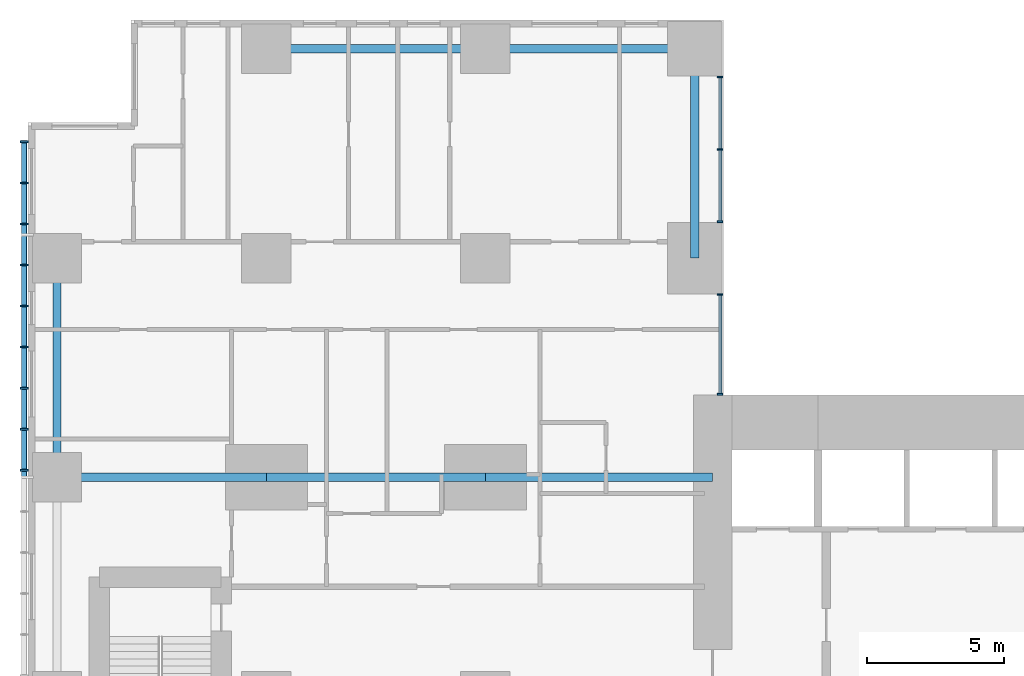
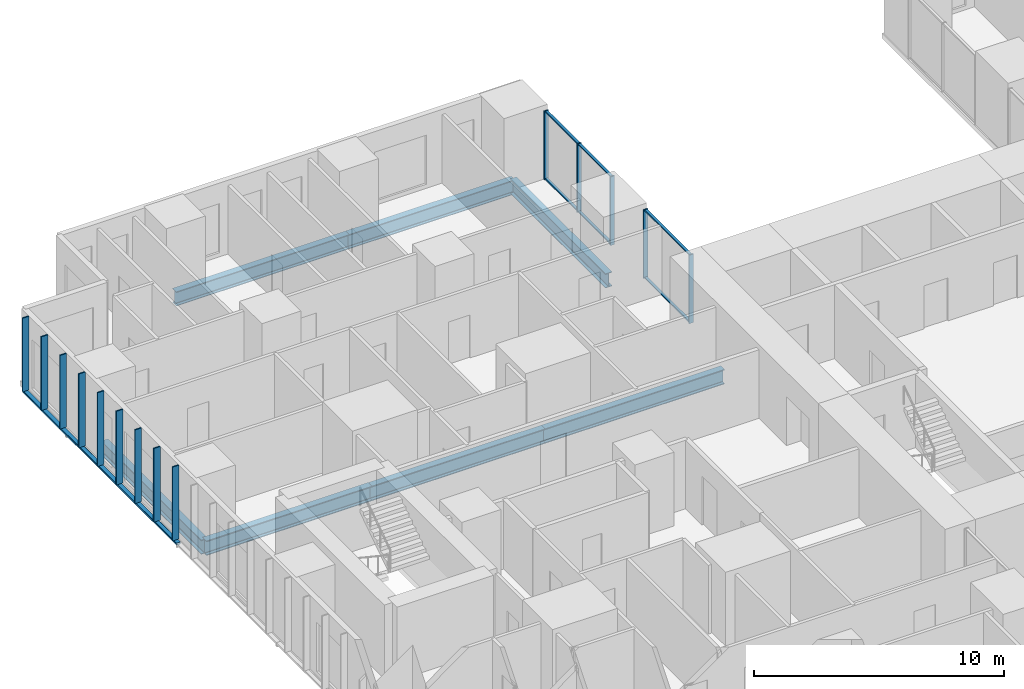
# One storey, part 4 of 20: 21 members, 7 beams, 2 elements without a shape of their own.
"""IFC4 building model written with IfcOpenShell, lengths in metres."""

from ifc_helpers import new_model, si_unit, direction, frame, origin, origin_2d, place, context, subcontext, project, spatial, rectangle, hollow_rectangle, i_section, extrude, material, layer, layer_set, material_profile, profile_set, type_object, element, aggregate, save


model = new_model("IFC4")

# Units and contexts
model_context = context("Model", 3, precision=1e-05, world=origin(), true_north=direction((0.0, 1.0)))
body_context = subcontext(model_context, "Body", "Model", "MODEL_VIEW")
ifc_project = project(units=[si_unit("LENGTHUNIT", "METRE"), si_unit("AREAUNIT", "SQUARE_METRE"), si_unit("VOLUMEUNIT", "CUBIC_METRE"), si_unit("PLANEANGLEUNIT", "RADIAN"), si_unit("MASSUNIT", "GRAM", prefix="KILO")], contexts=[model_context])

# Site, building, storey
site_placement = place(None, origin())
site = spatial("IfcSite", under=ifc_project, at=site_placement, CompositionType="ELEMENT")
building_placement = place(site_placement, origin())
building = spatial("IfcBuilding", under=site, at=building_placement, Name="Cleftline Residences", CompositionType="ELEMENT")
storey_placement = place(building_placement, frame((0.0, 0.0, 211.0)))
storey = spatial("IfcBuildingStorey", under=building, at=storey_placement, Name="L55", CompositionType="ELEMENT", Elevation=211.0)

# Member
ifc_material_1 = material(Name="Steel S355, hot-dip galvanised", Category="steel")
ifc_material_profile_1 = material_profile(ifc_material_1, hollow_rectangle(XDim=0.10009765625, YDim=0.199951171875, WallThickness=0.008056640625, InnerFilletRadius=0.008056640625, OuterFilletRadius=0.011962890625, at=origin_2d()))
ifc_profile_set_1 = profile_set([ifc_material_profile_1], Name="Steel S355, hot-dip galvanised")
member_type_1 = type_object("IfcMemberType", Name="BAGUETTE CARRIER RHS 200X100X8", PredefinedType="USERDEFINED", material=ifc_profile_set_1)
member_1_placement = place(storey_placement, frame((-0.85009765625, 44.300048828125, -0.050048828125), z_axis=(0.0, -1.0, 0.0), x_axis=(0.0, 0.0, 1.0)))
element("IfcMember", 1, at=member_1_placement, inside=storey, type_object=member_type_1, Name="Baguette carrier", ObjectType="BAGUETTE CARRIER", PredefinedType="USERDEFINED", context=body_context, shape_type="SweptSolid", body=[
    extrude(hollow_rectangle(XDim=0.10009765625, YDim=0.199951171875, WallThickness=0.008056640625, InnerFilletRadius=0.008056640625, OuterFilletRadius=0.011962890625, at=origin_2d()), origin(), (0.0, 0.0, 1.0), 12.300048828125),
])

# Beams
ifc_material_2 = material(Name="Steel S355", Category="steel")
ifc_material_profile_2 = material_profile(ifc_material_2, i_section(OverallWidth=0.300048828125, OverallDepth=0.699951171875, WebThickness=0.01708984375, FlangeThickness=0.031982421875, FilletRadius=0.027099609375, at=origin_2d()))
ifc_profile_set_2 = profile_set([ifc_material_profile_2], Name="Steel S355")
beam_type_1 = type_object("IfcBeamType", Name="BEAM HEB 700", PredefinedType="BEAM", material=ifc_profile_set_2)
for number, where, z_axis, x_axis, name in (
    (2, (0.35009765625, 32.0, -0.60009765625), (0.0, 1.0, 0.0), (-1.0, 0.0, 0.0), "Edge beam"),
    (3, (8.0, 47.64990234375, -0.60009765625), (1.0, 0.0, 0.0), (0.0, 1.0, 0.0), "Edge beam"),
):
    element("IfcBeam", number, at=place(storey_placement, frame(where, z_axis=z_axis, x_axis=x_axis)), inside=storey, type_object=beam_type_1, Name=name, PredefinedType="BEAM", context=body_context, shape_type="SweptSolid", body=[
        extrude(i_section(OverallWidth=0.300048828125, OverallDepth=0.699951171875, WebThickness=0.01708984375, FlangeThickness=0.031982421875, FilletRadius=0.027099609375, at=origin_2d()), origin(), (0.0, 0.0, 1.0), 8.0),
    ])
for number, where, z_axis, x_axis, name in (
    (4, (16.0, 47.64990234375, -0.60009765625), (1.0, 0.0, 0.0), (0.0, 1.0, 0.0), "Edge beam"),
    (5, (23.64990234375, 47.64990234375, -0.60009765625), (0.0, -1.0, 0.0), (1.0, 0.0, 0.0), "Edge beam"),
):
    element("IfcBeam", number, at=place(storey_placement, frame(where, z_axis=z_axis, x_axis=x_axis)), inside=storey, type_object=beam_type_1, Name=name, PredefinedType="BEAM", context=body_context, shape_type="SweptSolid", body=[
        extrude(i_section(OverallWidth=0.300048828125, OverallDepth=0.699951171875, WebThickness=0.01708984375, FlangeThickness=0.031982421875, FilletRadius=0.027099609375, at=origin_2d()), origin(), (0.0, 0.0, 1.0), 7.64990234375),
    ])
ifc_material_3 = material(Name="Steel S355", Category="steel")
ifc_material_profile_3 = material_profile(ifc_material_3, i_section(OverallWidth=0.303955078125, OverallDepth=0.716064453125, WebThickness=0.02099609375, FlangeThickness=0.0400390625, FilletRadius=0.027099609375, at=origin_2d()))
ifc_profile_set_3 = profile_set([ifc_material_profile_3], Name="Steel S355")
beam_type_2 = type_object("IfcBeamType", Name="BEAM HEM 700", PredefinedType="BEAM", material=ifc_profile_set_3)
beam_1_placement = place(storey_placement, frame((0.35009765625, 32.0, -0.60791015625), z_axis=(1.0, 0.0, 0.0), x_axis=(0.0, 1.0, 0.0)))
element("IfcBeam", 6, at=beam_1_placement, inside=storey, type_object=beam_type_2, Name="Band beam", PredefinedType="BEAM", context=body_context, shape_type="SweptSolid", body=[
    extrude(i_section(OverallWidth=0.303955078125, OverallDepth=0.716064453125, WebThickness=0.02099609375, FlangeThickness=0.0400390625, FilletRadius=0.027099609375, at=origin_2d()), origin(), (0.0, 0.0, 1.0), 7.64990234375),
])
beam_2_placement = place(storey_placement, frame((8.0, 32.0, -0.60791015625), z_axis=(1.0, 0.0, 0.0), x_axis=(0.0, 1.0, 0.0)))
element("IfcBeam", 7, at=beam_2_placement, inside=storey, type_object=beam_type_2, Name="Band beam", PredefinedType="BEAM", context=body_context, shape_type="SweptSolid", body=[
    extrude(i_section(OverallWidth=0.303955078125, OverallDepth=0.716064453125, WebThickness=0.02099609375, FlangeThickness=0.0400390625, FilletRadius=0.027099609375, at=origin_2d()), origin(), (0.0, 0.0, 1.0), 8.0),
])
beam_3_placement = place(storey_placement, frame((16.0, 32.0, -0.60791015625), z_axis=(1.0, 0.0, 0.0), x_axis=(0.0, 1.0, 0.0)))
element("IfcBeam", 8, at=beam_3_placement, inside=storey, type_object=beam_type_2, Name="Band beam", PredefinedType="BEAM", context=body_context, shape_type="SweptSolid", body=[
    extrude(i_section(OverallWidth=0.303955078125, OverallDepth=0.716064453125, WebThickness=0.02099609375, FlangeThickness=0.0400390625, FilletRadius=0.027099609375, at=origin_2d()), origin(), (0.0, 0.0, 1.0), 8.300048828125),
])

# Curtain wall, members
ifc_material_4 = material(Name="Aluminium framed curtain wall", Category="aluminium")
ifc_layer = layer(ifc_material_4, 0.199951171875)
ifc_layer_set = layer_set([ifc_layer], Name="CW1 CLEFT GLAZING")
curtain_wall_type = type_object("IfcCurtainWallType", Name="CW1 CLEFT GLAZING", PredefinedType="NOTDEFINED", material=ifc_layer_set)
curtain_wall_1_placement = place(storey_placement, origin())
curtain_wall_1 = element("IfcCurtainWall", 9, at=curtain_wall_1_placement, inside=storey, type_object=curtain_wall_type, Name="Curtain wall CW1", PredefinedType="NOTDEFINED")
ifc_material_5 = material(Name="Aluminium mullion", Category="aluminium")
ifc_material_profile_4 = material_profile(ifc_material_5, rectangle(XDim=0.199951171875, YDim=0.06005859375, at=origin_2d()))
ifc_profile_set_4 = profile_set([ifc_material_profile_4], Name="Aluminium mullion")
member_type_2 = type_object("IfcMemberType", Name="CW1 MULLION", PredefinedType="MULLION", material=ifc_profile_set_4)
member_2_placement = place(storey_placement, frame((24.574951171875, 35.030029296875, 0.0), z_axis=(0.0, 0.0, 1.0), x_axis=(-1.0, 0.0, 0.0)))
member_2 = element("IfcMember", 10, at=member_2_placement, type_object=member_type_2, Name="CW1 mullion 1", PredefinedType="MULLION", context=body_context, shape_type="SweptSolid", body=[
    extrude(rectangle(XDim=0.199951171875, YDim=0.06005859375, at=origin_2d()), origin(), (0.0, 0.0, 1.0), 3.35009765625),
])
member_3_placement = place(storey_placement, frame((24.574951171875, 38.669921875, 0.0), z_axis=(0.0, 0.0, 1.0), x_axis=(-1.0, 0.0, 0.0)))
member_3 = element("IfcMember", 11, at=member_3_placement, type_object=member_type_2, Name="CW1 mullion 2", PredefinedType="MULLION", context=body_context, shape_type="SweptSolid", body=[
    extrude(rectangle(XDim=0.199951171875, YDim=0.06005859375, at=origin_2d()), origin(), (0.0, 0.0, 1.0), 3.35009765625),
])

curtain_wall_2_placement = place(storey_placement, origin())
curtain_wall_2 = element("IfcCurtainWall", 12, at=curtain_wall_2_placement, inside=storey, type_object=curtain_wall_type, Name="Curtain wall CW1", PredefinedType="NOTDEFINED")
member_4_placement = place(storey_placement, frame((24.574951171875, 41.330078125, 0.0), z_axis=(0.0, 0.0, 1.0), x_axis=(-1.0, 0.0, 0.0)))
member_4 = element("IfcMember", 13, at=member_4_placement, type_object=member_type_2, Name="CW1 mullion 1", PredefinedType="MULLION", context=body_context, shape_type="SweptSolid", body=[
    extrude(rectangle(XDim=0.199951171875, YDim=0.06005859375, at=origin_2d()), origin(), (0.0, 0.0, 1.0), 3.35009765625),
])
member_5_placement = place(storey_placement, frame((24.574951171875, 43.97509765625, 0.0), z_axis=(0.0, 0.0, 1.0), x_axis=(-1.0, 0.0, 0.0)))
member_5 = element("IfcMember", 14, at=member_5_placement, type_object=member_type_2, Name="CW1 mullion 2", PredefinedType="MULLION", context=body_context, shape_type="SweptSolid", body=[
    extrude(rectangle(XDim=0.199951171875, YDim=0.06005859375, at=origin_2d()), origin(), (0.0, 0.0, 1.0), 3.35009765625),
])
member_6_placement = place(storey_placement, frame((24.574951171875, 46.6201171875, 0.0), z_axis=(0.0, 0.0, 1.0), x_axis=(-1.0, 0.0, 0.0)))
member_6 = element("IfcMember", 15, at=member_6_placement, type_object=member_type_2, Name="CW1 mullion 3", PredefinedType="MULLION", context=body_context, shape_type="SweptSolid", body=[
    extrude(rectangle(XDim=0.199951171875, YDim=0.06005859375, at=origin_2d()), origin(), (0.0, 0.0, 1.0), 3.35009765625),
])

# Member
ifc_material_6 = material(Name="Aluminium transom", Category="aluminium")
ifc_material_profile_5 = material_profile(ifc_material_6, rectangle(XDim=0.1201171875, YDim=0.06005859375, at=origin_2d()))
ifc_profile_set_5 = profile_set([ifc_material_profile_5], Name="Aluminium transom")
member_type_3 = type_object("IfcMemberType", Name="CW1 TRANSOM", PredefinedType="USERDEFINED", material=ifc_profile_set_5)
member_7_placement = place(storey_placement, frame((24.574951171875, 35.06005859375, 0.030029296875), z_axis=(0.0, 1.0, 0.0), x_axis=(-1.0, 0.0, 0.0)))
member_7 = element("IfcMember", 16, at=member_7_placement, type_object=member_type_3, Name="CW1 transom 1.1", ObjectType="TRANSOM", PredefinedType="USERDEFINED", context=body_context, shape_type="SweptSolid", body=[
    extrude(rectangle(XDim=0.1201171875, YDim=0.06005859375, at=origin_2d()), origin(), (0.0, 0.0, 1.0), 3.579833984375),
])

member_8_placement = place(storey_placement, frame((24.574951171875, 35.06005859375, 3.320068359375), z_axis=(0.0, 1.0, 0.0), x_axis=(-1.0, 0.0, 0.0)))
member_8 = element("IfcMember", 17, at=member_8_placement, type_object=member_type_3, Name="CW1 transom 1.2", ObjectType="TRANSOM", PredefinedType="USERDEFINED", context=body_context, shape_type="SweptSolid", body=[
    extrude(rectangle(XDim=0.1201171875, YDim=0.06005859375, at=origin_2d()), origin(), (0.0, 0.0, 1.0), 3.579833984375),
])

aggregate(curtain_wall_1, [member_2, member_3, member_7, member_8])

member_9_placement = place(storey_placement, frame((24.574951171875, 41.360107421875, 0.030029296875), z_axis=(0.0, 1.0, 0.0), x_axis=(-1.0, 0.0, 0.0)))
member_9 = element("IfcMember", 18, at=member_9_placement, type_object=member_type_3, Name="CW1 transom 1.1", ObjectType="TRANSOM", PredefinedType="USERDEFINED", context=body_context, shape_type="SweptSolid", body=[
    extrude(rectangle(XDim=0.1201171875, YDim=0.06005859375, at=origin_2d()), origin(), (0.0, 0.0, 1.0), 2.5849609375),
])

member_10_placement = place(storey_placement, frame((24.574951171875, 41.360107421875, 3.320068359375), z_axis=(0.0, 1.0, 0.0), x_axis=(-1.0, 0.0, 0.0)))
member_10 = element("IfcMember", 19, at=member_10_placement, type_object=member_type_3, Name="CW1 transom 1.2", ObjectType="TRANSOM", PredefinedType="USERDEFINED", context=body_context, shape_type="SweptSolid", body=[
    extrude(rectangle(XDim=0.1201171875, YDim=0.06005859375, at=origin_2d()), origin(), (0.0, 0.0, 1.0), 2.5849609375),
])

member_11_placement = place(storey_placement, frame((24.574951171875, 44.0048828125, 0.030029296875), z_axis=(0.0, 1.0, 0.0), x_axis=(-1.0, 0.0, 0.0)))
member_11 = element("IfcMember", 20, at=member_11_placement, type_object=member_type_3, Name="CW1 transom 2.1", ObjectType="TRANSOM", PredefinedType="USERDEFINED", context=body_context, shape_type="SweptSolid", body=[
    extrude(rectangle(XDim=0.1201171875, YDim=0.06005859375, at=origin_2d()), origin(), (0.0, 0.0, 1.0), 2.585205078125),
])

member_12_placement = place(storey_placement, frame((24.574951171875, 44.0048828125, 3.320068359375), z_axis=(0.0, 1.0, 0.0), x_axis=(-1.0, 0.0, 0.0)))
member_12 = element("IfcMember", 21, at=member_12_placement, type_object=member_type_3, Name="CW1 transom 2.2", ObjectType="TRANSOM", PredefinedType="USERDEFINED", context=body_context, shape_type="SweptSolid", body=[
    extrude(rectangle(XDim=0.1201171875, YDim=0.06005859375, at=origin_2d()), origin(), (0.0, 0.0, 1.0), 2.585205078125),
])

aggregate(curtain_wall_2, [member_4, member_5, member_6, member_9, member_10, member_11, member_12])

# Members
ifc_material_7 = material(Name="Extruded terracotta", Category="masonry")
ifc_material_profile_6 = material_profile(ifc_material_7, rectangle(XDim=0.06005859375, YDim=0.300048828125, at=origin_2d()))
ifc_profile_set_6 = profile_set([ifc_material_profile_6], Name="Extruded terracotta")
member_type_4 = type_object("IfcMemberType", Name="TERRACOTTA BAGUETTE 60X300", PredefinedType="USERDEFINED", material=ifc_profile_set_6)
for number, where, z_axis, x_axis, name in (
    (22, (-0.85009765625, 44.25, 0.0), (0.0, 0.0, 1.0), (0.0, 1.0, 0.0), "Terracotta baguette"),
    (23, (-0.85009765625, 42.75, 0.0), (0.0, 0.0, 1.0), (0.0, 1.0, 0.0), "Terracotta baguette"),
    (24, (-0.85009765625, 41.25, 0.0), (0.0, 0.0, 1.0), (0.0, 1.0, 0.0), "Terracotta baguette"),
    (25, (-0.85009765625, 39.75, 0.0), (0.0, 0.0, 1.0), (0.0, 1.0, 0.0), "Terracotta baguette"),
    (26, (-0.85009765625, 38.25, 0.0), (0.0, 0.0, 1.0), (0.0, 1.0, 0.0), "Terracotta baguette"),
    (27, (-0.85009765625, 36.75, 0.0), (0.0, 0.0, 1.0), (0.0, 1.0, 0.0), "Terracotta baguette"),
    (28, (-0.85009765625, 35.25, 0.0), (0.0, 0.0, 1.0), (0.0, 1.0, 0.0), "Terracotta baguette"),
    (29, (-0.85009765625, 33.75, 0.0), (0.0, 0.0, 1.0), (0.0, 1.0, 0.0), "Terracotta baguette"),
    (30, (-0.85009765625, 32.25, 0.0), (0.0, 0.0, 1.0), (0.0, 1.0, 0.0), "Terracotta baguette"),
):
    element("IfcMember", number, at=place(storey_placement, frame(where, z_axis=z_axis, x_axis=x_axis)), inside=storey, type_object=member_type_4, Name=name, ObjectType="BAGUETTE", PredefinedType="USERDEFINED", context=body_context, shape_type="SweptSolid", body=[
        extrude(rectangle(XDim=0.06005859375, YDim=0.300048828125, at=origin_2d()), origin(), (0.0, 0.0, 1.0), 3.60009765625),
    ])

save(model, "model.ifc")
